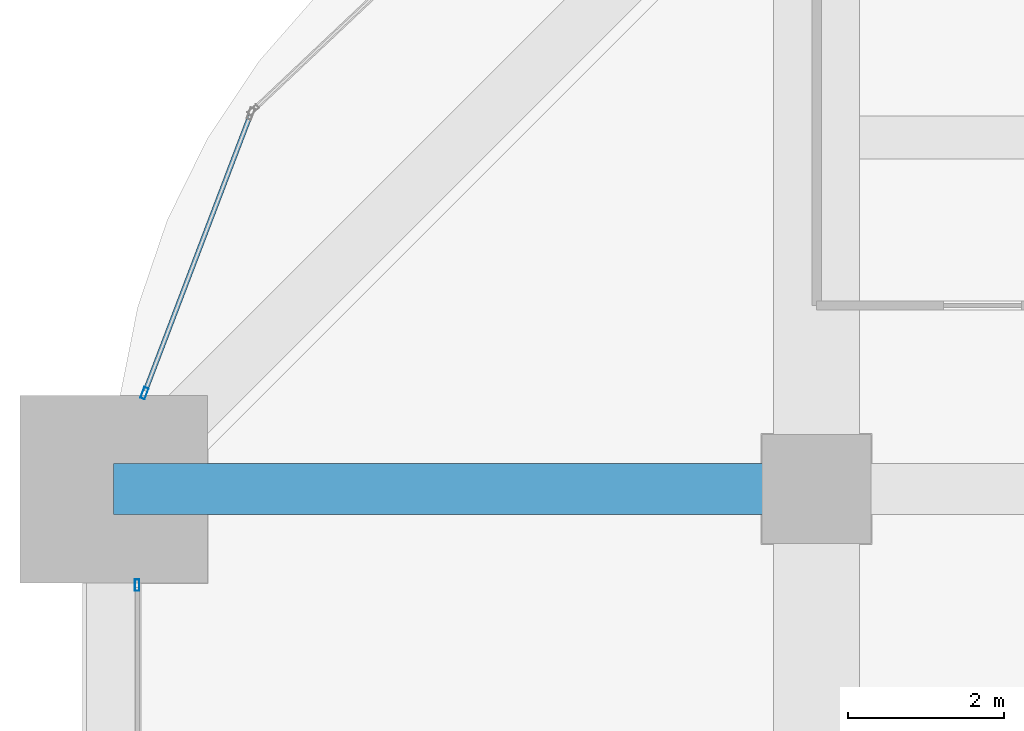
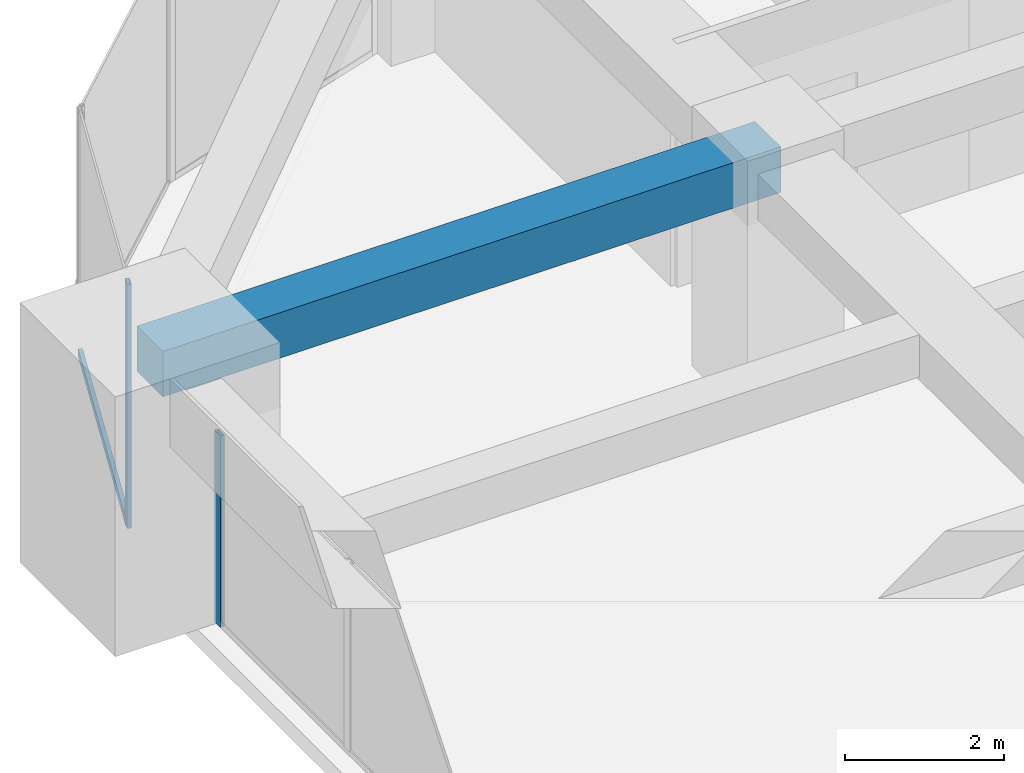
# One storey, part 20 of 33: 3 members, 1 beam, 2 elements without a shape of their own.
"""IFC4 building model written with IfcOpenShell, lengths in metres."""

from ifc_helpers import new_model, si_unit, direction, frame, origin, origin_2d, place, context, subcontext, project, spatial, rectangle, hollow_rectangle, extrude, material, material_profile, profile_set, type_object, element, aggregate, save


model = new_model("IFC4")

# Units and contexts
model_context = context("Model", 3, precision=1e-05, world=origin(), true_north=direction((0.0, 1.0)))
body_context = subcontext(model_context, "Body", "Model", "MODEL_VIEW")
ifc_project = project(units=[si_unit("LENGTHUNIT", "METRE"), si_unit("AREAUNIT", "SQUARE_METRE"), si_unit("VOLUMEUNIT", "CUBIC_METRE"), si_unit("PLANEANGLEUNIT", "RADIAN"), si_unit("MASSUNIT", "GRAM", prefix="KILO")], contexts=[model_context])

# Site, building, storey
site_placement = place(None, origin())
site = spatial("IfcSite", under=ifc_project, at=site_placement, CompositionType="ELEMENT")
building_placement = place(site_placement, origin())
building = spatial("IfcBuilding", under=site, at=building_placement, Name="Zorevar Civic Tower", CompositionType="ELEMENT")
storey_placement = place(building_placement, frame((0.0, 0.0, 210.199951171875)))
storey = spatial("IfcBuildingStorey", under=building, at=storey_placement, Name="L51", CompositionType="ELEMENT", Elevation=210.199951171875)

# Beam
ifc_material_1 = material(Name="Concrete C50/60", Category="concrete")
ifc_material_profile_1 = material_profile(ifc_material_1, rectangle(XDim=0.64990234375, YDim=0.699951171875, at=origin_2d()), Name="RC 650x700")
ifc_profile_set_1 = profile_set([ifc_material_profile_1], Name="Concrete C50/60")
beam_type = type_object("IfcBeamType", Name="Beam RC 650x700", PredefinedType="BEAM", material=ifc_profile_set_1)
beam_placement = place(storey_placement, frame((0.0, 36.0, 3.400146484375), z_axis=(1.0, 0.0, 0.0), x_axis=(0.0, 1.0, 0.0)))
element("IfcBeam", 1, at=beam_placement, inside=storey, type_object=beam_type, Name="Girder L52", PredefinedType="BEAM", context=body_context, shape_type="SweptSolid", body=[
    extrude(rectangle(XDim=0.64990234375, YDim=0.699951171875, at=origin_2d()), origin(), (0.0, 0.0, 1.0), 9.0),
])

# Curtain wall, member
ifc_material_2 = material(Name="Dark grey solar-control glass in black aluminium frame", Category="aluminium")
curtain_wall_type = type_object("IfcCurtainWallType", Name="Curtain wall CW4 high zone", PredefinedType="NOTDEFINED", material=ifc_material_2)
curtain_wall_1_placement = place(storey_placement, origin())
curtain_wall_1 = element("IfcCurtainWall", 2, at=curtain_wall_1_placement, inside=storey, type_object=curtain_wall_type, Name="CW4 L51", PredefinedType="NOTDEFINED")
ifc_material_3 = material(Name="Aluminium, black anodised", Category="aluminium")
ifc_material_profile_2 = material_profile(ifc_material_3, hollow_rectangle(XDim=0.06005859375, YDim=0.14990234375, WallThickness=0.00390625, at=origin_2d()), Name="AL 150x60x4")
ifc_profile_set_2 = profile_set([ifc_material_profile_2], Name="Aluminium, black anodised")
member_type_1 = type_object("IfcMemberType", Name="CW4 mullion AL 150x60x4", PredefinedType="MULLION", material=ifc_profile_set_2)
member_1_placement = place(storey_placement, frame((0.300048828125, 34.77001953125, 0.0), z_axis=(0.0, 0.0, 1.0), x_axis=(-1.0, 0.0, 0.0)))
member_1 = element("IfcMember", 3, at=member_1_placement, type_object=member_type_1, Name="CW4 mullion 3", PredefinedType="MULLION", context=body_context, shape_type="SweptSolid", body=[
    extrude(hollow_rectangle(XDim=0.06005859375, YDim=0.14990234375, WallThickness=0.00390625, at=origin_2d()), origin(), (0.0, 0.0, 1.0), 2.949951171875),
])
aggregate(curtain_wall_1, [member_1])

# Curtain wall, members
curtain_wall_2_placement = place(storey_placement, origin())
curtain_wall_2 = element("IfcCurtainWall", 4, at=curtain_wall_2_placement, inside=storey, type_object=curtain_wall_type, Name="CW4 L51", PredefinedType="NOTDEFINED")
member_2_placement = place(storey_placement, frame((0.393798828125, 37.22802734375, 0.0), z_axis=(0.0, 0.0, 1.0), x_axis=(0.93458842801, -0.355730895803, 0.0)))
member_2 = element("IfcMember", 5, at=member_2_placement, type_object=member_type_1, Name="CW4 mullion 2", PredefinedType="MULLION", context=body_context, shape_type="SweptSolid", body=[
    extrude(hollow_rectangle(XDim=0.06005859375, YDim=0.14990234375, WallThickness=0.00390625, at=origin_2d()), origin(), (0.0, 0.0, 1.0), 3.75),
])
ifc_material_4 = material(Name="Aluminium, black anodised", Category="aluminium")
ifc_material_profile_3 = material_profile(ifc_material_4, hollow_rectangle(XDim=0.06005859375, YDim=0.1201171875, WallThickness=0.0029296875, at=origin_2d()), Name="AL 120x60x3")
ifc_profile_set_3 = profile_set([ifc_material_profile_3], Name="Aluminium, black anodised")
member_type_2 = type_object("IfcMemberType", Name="CW4 transom AL 120x60x3", PredefinedType="USERDEFINED", material=ifc_profile_set_3)
member_3_placement = place(storey_placement, frame((1.74462890625, 40.77685546875, 0.030029296875), z_axis=(-0.355728511406, -0.934589335576, 0.0), x_axis=(0.934589335576, -0.355728511406, 0.0)))
member_3 = element("IfcMember", 6, at=member_3_placement, type_object=member_type_2, Name="CW4 sill transom", ObjectType="TRANSOM", PredefinedType="USERDEFINED", context=body_context, shape_type="SweptSolid", body=[
    extrude(hollow_rectangle(XDim=0.06005859375, YDim=0.1201171875, WallThickness=0.0029296875, at=origin_2d()), origin(), (0.0, 0.0, 1.0), 3.76708984375),
])
aggregate(curtain_wall_2, [member_2, member_3])

save(model, "model.ifc")
